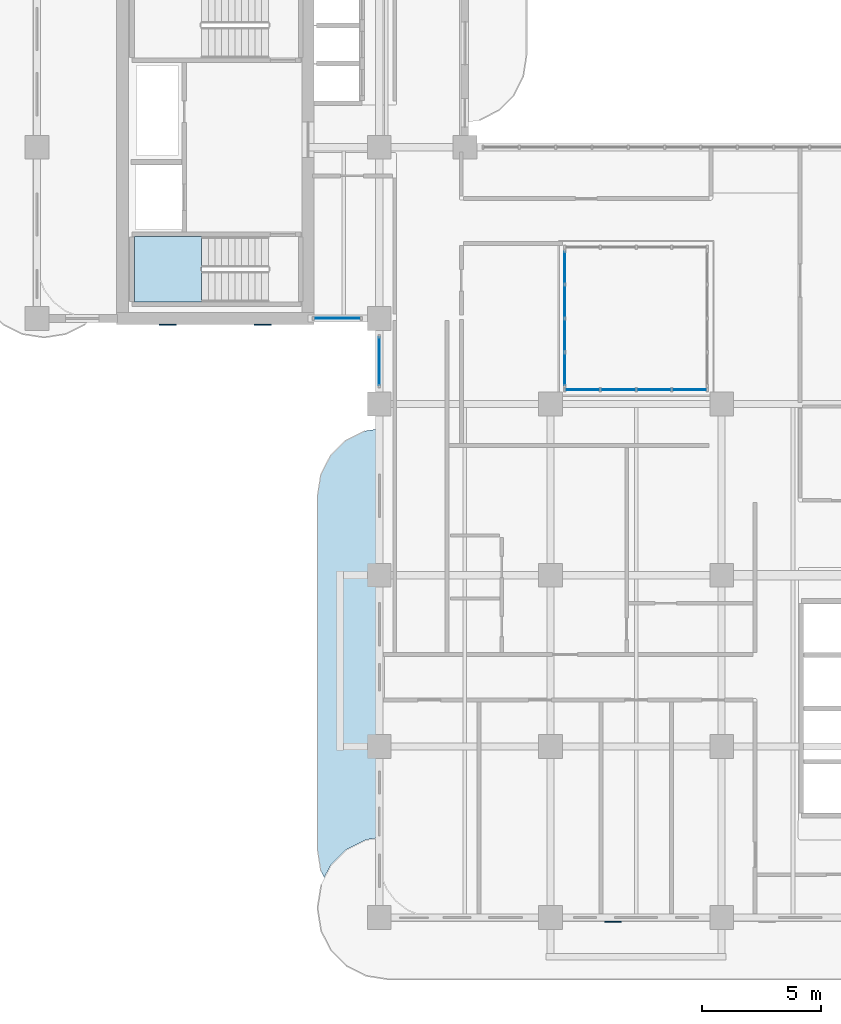
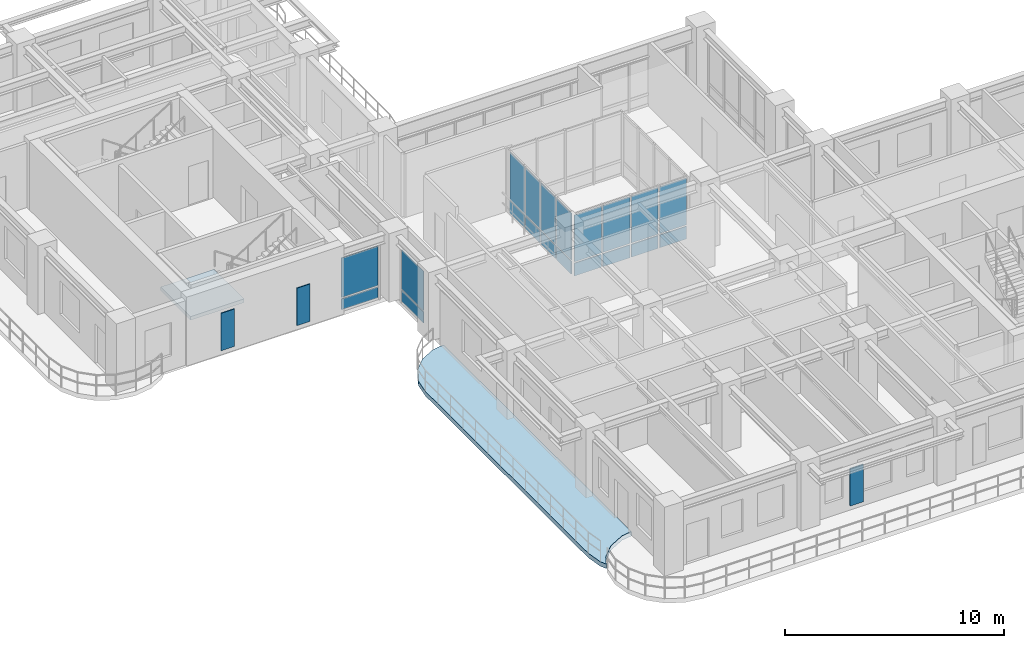
# One storey, part 7 of 20: 23 plates, 2 slabs, 5 elements without a shape of their own.
"""IFC4 building model written with IfcOpenShell, lengths in metres."""

from ifc_helpers import new_model, si_unit, derived_unit, direction, frame, origin, origin_2d, place, context, subcontext, project, spatial, polyline, rectangle, outline, extrude, source, transform, mapped, material, layer, layer_set, type_object, type_shapes, element, aggregate, save


model = new_model("IFC4")

# Units and contexts
model_context = context("Model", 3, precision=1e-05, world=origin(), true_north=direction((0.0, 1.0)))
body_context = subcontext(model_context, "Body", "Model", "MODEL_VIEW")
ifc_project = project(units=[si_unit("LENGTHUNIT", "METRE"), si_unit("AREAUNIT", "SQUARE_METRE"), si_unit("VOLUMEUNIT", "CUBIC_METRE"), si_unit("PLANEANGLEUNIT", "RADIAN"), si_unit("MASSUNIT", "GRAM", prefix="KILO"), si_unit("THERMODYNAMICTEMPERATUREUNIT", "KELVIN"), si_unit("POWERUNIT", "WATT"), derived_unit("THERMALTRANSMITTANCEUNIT", [(si_unit("POWERUNIT", "WATT"), 1), (si_unit("AREAUNIT", "SQUARE_METRE"), -1), (si_unit("THERMODYNAMICTEMPERATUREUNIT", "KELVIN"), -1)])], contexts=[model_context])

# Site, building, storey
site_placement = place(None, origin())
site = spatial("IfcSite", under=ifc_project, at=site_placement, CompositionType="ELEMENT")
building_placement = place(site_placement, origin())
building = spatial("IfcBuilding", under=site, at=building_placement, Name="Zahravan Archway Hotel and Residences", CompositionType="ELEMENT")
storey_placement = place(building_placement, frame((0.0, 0.0, 161.85009765625)))
storey = spatial("IfcBuildingStorey", under=building, at=storey_placement, Name="L40", CompositionType="ELEMENT", Elevation=161.85009765625)

# Slab
ifc_material_1 = material(Name="Concrete C45/55", Category="concrete")
ifc_layer_1 = layer(ifc_material_1, 0.25, Name="Concrete C45/55", Category="concrete")
ifc_layer_set_1 = layer_set([ifc_layer_1], Name="Concrete C45/55")
slab_type_1 = type_object("IfcSlabType", Name="SLB-BALC-250", PredefinedType="FLOOR", material=ifc_layer_set_1)
slab_1_placement = place(storey_placement, frame((0.0, 0.0, -0.25)))
element("IfcSlab", 1, at=slab_1_placement, inside=storey, type_object=slab_type_1, Name="L40 Wing A West Rounded Balcony Band", PredefinedType="FLOOR", context=body_context, shape_type="SweptSolid", body=[
    extrude(outline(polyline([(11.939453125, 1.96923828125), (11.800048828125, 2.85009765625), (11.800048828125, 17.75), (11.939453125, 18.630615234375), (12.34423828125, 19.42529296875), (12.974853515625, 20.0556640625), (13.769287109375, 20.46044921875), (14.3798828125, 20.55712890625), (14.3798828125, 3.361328125), (14.37890625, 3.361328125), (14.376953125, 3.361083984375), (13.835205078125, 3.275390625), (13.833251953125, 3.27490234375), (13.831298828125, 3.2744140625), (13.829345703125, 3.2734375), (13.0068359375, 2.8544921875), (13.005126953125, 2.853515625), (13.00341796875, 2.85205078125), (13.001953125, 2.8505859375), (12.349365234375, 2.197998046875), (12.347900390625, 2.196533203125), (12.3466796875, 2.19482421875), (12.345703125, 2.193115234375), (12.08544921875, 1.6826171875), (11.939453125, 1.96923828125)])), origin(), (0.0, 0.0, 1.0), 0.25),
])

# Stair, slab
ifc_material_2 = material(Name="Concrete C50/60", Category="concrete")
stair_type = type_object("IfcStairType", Name="STR-CORE-1300", PredefinedType="HALF_TURN_STAIR", material=ifc_material_2)
stair_placement = place(storey_placement, origin())
stair = element("IfcStair", 2, at=stair_placement, inside=storey, type_object=stair_type, Name="L40 Core B Exit Stair 1", PredefinedType="HALF_TURN_STAIR")
ifc_layer_2 = layer(ifc_material_2, 0.199951171875, Name="Concrete C50/60", Category="concrete")
ifc_layer_set_2 = layer_set([ifc_layer_2], Name="Concrete C50/60")
slab_type_2 = type_object("IfcSlabType", Name="SLB-LND-200", PredefinedType="LANDING", material=ifc_layer_set_2)
slab_2_placement = place(storey_placement, frame((0.0, 0.0, 1.724853515625)))
slab_2 = element("IfcSlab", 3, at=slab_2_placement, type_object=slab_type_2, Name="ST-B1 landing 1", PredefinedType="LANDING", context=body_context, shape_type="SweptSolid", body=[
    extrude(outline(polyline([(6.929931640625, 28.639892578125), (4.10009765625, 28.639892578125), (4.10009765625, 25.89990234375), (6.929931640625, 25.89990234375), (6.929931640625, 28.639892578125)])), origin(), (0.0, 0.0, 1.0), 0.199951171875),
])
aggregate(stair, [slab_2])

# Plates
ifc_material_3 = material(Name="Perforated Cast Bronze Jali Lattice")
ifc_layer_3 = layer(ifc_material_3, 0.044921875, Name="Perforated Cast Bronze Jali Lattice")
ifc_layer_set_3 = layer_set([ifc_layer_3], Name="Perforated Cast Bronze Jali Lattice")
plate_type_1 = type_object("IfcPlateType", Name="PLT-JALI-BAY", PredefinedType="USERDEFINED", material=ifc_layer_set_3)
shared_shape_1 = source(origin(), body_context, "Body", "SweptSolid", [
    extrude(rectangle(XDim=0.699951171875, YDim=0.044921875, at=origin_2d()), origin(), (0.0, 0.0, 1.0), 2.10009765625),
])
type_shapes(plate_type_1, [shared_shape_1])
for number, where, z_axis, x_axis, name in (
    (4, (5.5, 24.931884765625, 0.249755859375), (0.0, 0.0, 1.0), (1.0, 0.0, 0.0), "L40 Core B South Mughal Jali Screen 1"),
    (5, (9.5, 24.931884765625, 0.249755859375), (0.0, 0.0, 1.0), (1.0, 0.0, 0.0), "L40 Core B South Mughal Jali Screen 2"),
    (6, (24.22802734375, -0.177978515625, 0.249755859375), (0.0, 0.0, 1.0), (1.0, 0.0, 0.0), "L40 Perforated Bronze Jali Pier Screen 01"),
):
    element("IfcPlate", number, at=place(storey_placement, frame(where, z_axis=z_axis, x_axis=x_axis)), inside=storey, type_object=plate_type_1, Name=name, ObjectType="SCREEN", PredefinedType="USERDEFINED", context=body_context, shape_type="MappedRepresentation", body=[
        mapped(shared_shape_1, transform((0.0, 0.0, 0.0), scale=1.0)),
    ])

# Curtain wall, plates
ifc_material_4 = material(Name="Bronze-Anodized Unitised Aluminium & Low-E Glass", Category="aluminium")
ifc_layer_4 = layer(ifc_material_4, 0.179931640625, Name="Bronze-Anodized Unitised Aluminium & Low-E Glass", Category="aluminium")
ifc_layer_set_4 = layer_set([ifc_layer_4], Name="Bronze-Anodized Unitised Aluminium & Low-E Glass")
curtain_wall_type_1 = type_object("IfcCurtainWallType", Name="CW-ATR-GLAZ", PredefinedType="NOTDEFINED", material=ifc_layer_set_4)
curtain_wall_1_placement = place(storey_placement, origin())
curtain_wall_1 = element("IfcCurtainWall", 7, at=curtain_wall_1_placement, inside=storey, type_object=curtain_wall_type_1, Name="L40 Curtain Wall CW-ATR-L40-S-1", PredefinedType="NOTDEFINED")
ifc_material_5 = material(Name="Insulated Terracotta Spandrel Panel", Category="masonry")
ifc_layer_5 = layer(ifc_material_5, 0.0400390625, Name="Insulated Terracotta Spandrel Panel", Category="masonry")
ifc_layer_set_5 = layer_set([ifc_layer_5], Name="Insulated Terracotta Spandrel Panel")
plate_type_2 = type_object("IfcPlateType", Name="CWP-SPN-40", PredefinedType="SHEET", material=ifc_layer_set_5)
shared_shape_2 = source(origin(), body_context, "Body", "SweptSolid", [
    extrude(rectangle(XDim=1.419921875, YDim=0.0400390625, at=origin_2d()), origin(), (0.0, 0.0, 1.0), 0.7099609375),
])
plate_1_placement = place(storey_placement, frame((22.949951171875, 22.199951171875, 0.099853515625), z_axis=(0.0, 0.0, 1.0), x_axis=(1.0, 0.0, 0.0)))
plate_1 = element("IfcPlate", 8, at=plate_1_placement, type_object=plate_type_2, Name="CW-ATR-L40-S-1 Spandrel Panel 0", PredefinedType="SHEET", context=body_context, shape_type="MappedRepresentation", body=[
    mapped(shared_shape_2, transform((0.0, 0.0, 0.0), scale=1.0)),
])
plate_2_placement = place(storey_placement, frame((24.449951171875, 22.199951171875, 0.099853515625), z_axis=(0.0, 0.0, 1.0), x_axis=(1.0, 0.0, 0.0)))
plate_2 = element("IfcPlate", 9, at=plate_2_placement, type_object=plate_type_2, Name="CW-ATR-L40-S-1 Spandrel Panel 1", PredefinedType="SHEET", context=body_context, shape_type="MappedRepresentation", body=[
    mapped(shared_shape_2, transform((0.0, 0.0, 0.0), scale=1.0)),
])
plate_3_placement = place(storey_placement, frame((25.949951171875, 22.199951171875, 0.099853515625), z_axis=(0.0, 0.0, 1.0), x_axis=(1.0, 0.0, 0.0)))
plate_3 = element("IfcPlate", 10, at=plate_3_placement, type_object=plate_type_2, Name="CW-ATR-L40-S-1 Spandrel Panel 2", PredefinedType="SHEET", context=body_context, shape_type="MappedRepresentation", body=[
    mapped(shared_shape_2, transform((0.0, 0.0, 0.0), scale=1.0)),
])
plate_4_placement = place(storey_placement, frame((27.449951171875, 22.199951171875, 0.099853515625), z_axis=(0.0, 0.0, 1.0), x_axis=(1.0, 0.0, 0.0)))
plate_4 = element("IfcPlate", 11, at=plate_4_placement, type_object=plate_type_2, Name="CW-ATR-L40-S-1 Spandrel Panel 3", PredefinedType="SHEET", context=body_context, shape_type="MappedRepresentation", body=[
    mapped(shared_shape_2, transform((0.0, 0.0, 0.0), scale=1.0)),
])

curtain_wall_2_placement = place(storey_placement, origin())
curtain_wall_2 = element("IfcCurtainWall", 12, at=curtain_wall_2_placement, inside=storey, type_object=curtain_wall_type_1, Name="L40 Curtain Wall CW-ATR-L40-W-1", PredefinedType="NOTDEFINED")
shared_shape_3 = source(origin(), body_context, "Body", "SweptSolid", [
    extrude(rectangle(XDim=1.344970703125, YDim=0.0400390625, at=origin_2d()), origin(), (0.0, 0.0, 1.0), 0.7099609375),
])
plate_5_placement = place(storey_placement, frame((22.199951171875, 23.0625, 0.099853515625), z_axis=(0.0, 0.0, 1.0), x_axis=(0.0, 1.0, 0.0)))
plate_5 = element("IfcPlate", 13, at=plate_5_placement, type_object=plate_type_2, Name="CW-ATR-L40-W-1 Spandrel Panel 0", PredefinedType="SHEET", context=body_context, shape_type="MappedRepresentation", body=[
    mapped(shared_shape_3, transform((0.0, 0.0, 0.0), scale=1.0)),
])
plate_6_placement = place(storey_placement, frame((22.199951171875, 24.487548828125, 0.099853515625), z_axis=(0.0, 0.0, 1.0), x_axis=(0.0, 1.0, 0.0)))
plate_6 = element("IfcPlate", 14, at=plate_6_placement, type_object=plate_type_2, Name="CW-ATR-L40-W-1 Spandrel Panel 1", PredefinedType="SHEET", context=body_context, shape_type="MappedRepresentation", body=[
    mapped(shared_shape_3, transform((0.0, 0.0, 0.0), scale=1.0)),
])
plate_7_placement = place(storey_placement, frame((22.199951171875, 25.91259765625, 0.099853515625), z_axis=(0.0, 0.0, 1.0), x_axis=(0.0, 1.0, 0.0)))
plate_7 = element("IfcPlate", 15, at=plate_7_placement, type_object=plate_type_2, Name="CW-ATR-L40-W-1 Spandrel Panel 2", PredefinedType="SHEET", context=body_context, shape_type="MappedRepresentation", body=[
    mapped(shared_shape_3, transform((0.0, 0.0, 0.0), scale=1.0)),
])
plate_8_placement = place(storey_placement, frame((22.199951171875, 27.33740234375, 0.099853515625), z_axis=(0.0, 0.0, 1.0), x_axis=(0.0, 1.0, 0.0)))
plate_8 = element("IfcPlate", 16, at=plate_8_placement, type_object=plate_type_2, Name="CW-ATR-L40-W-1 Spandrel Panel 3", PredefinedType="SHEET", context=body_context, shape_type="MappedRepresentation", body=[
    mapped(shared_shape_3, transform((0.0, 0.0, 0.0), scale=1.0)),
])

ifc_layer_6 = layer(ifc_material_4, 0.179931640625, Name="Bronze-Anodized Unitised Aluminium & Low-E Glass", Category="aluminium")
ifc_layer_set_6 = layer_set([ifc_layer_6], Name="Bronze-Anodized Unitised Aluminium & Low-E Glass")
curtain_wall_type_2 = type_object("IfcCurtainWallType", Name="CW-TWR-FEAT", PredefinedType="NOTDEFINED", material=ifc_layer_set_6)
curtain_wall_3_placement = place(storey_placement, origin())
curtain_wall_3 = element("IfcCurtainWall", 17, at=curtain_wall_3_placement, inside=storey, type_object=curtain_wall_type_2, Name="L40 Curtain Wall CW-L40-WA-WLU-1", PredefinedType="NOTDEFINED")
shared_shape_4 = source(origin(), body_context, "Body", "SweptSolid", [
    extrude(rectangle(XDim=2.0, YDim=0.0400390625, at=origin_2d()), origin(), (0.0, 0.0, 1.0), 0.600341796875),
])
plate_9_placement = place(storey_placement, frame((14.39990234375, 23.39990234375, 0.10009765625), z_axis=(0.0, 0.0, 1.0), x_axis=(0.0, 1.0, 0.0)))
plate_9 = element("IfcPlate", 18, at=plate_9_placement, type_object=plate_type_2, Name="CW-L40-WA-WLU-1 Spandrel Panel 0", PredefinedType="SHEET", context=body_context, shape_type="MappedRepresentation", body=[
    mapped(shared_shape_4, transform((0.0, 0.0, 0.0), scale=1.0)),
])
ifc_material_6 = material(Name="Double-Silver Low-E Insulated Vision Glass", Category="glass")
ifc_layer_7 = layer(ifc_material_6, 0.028076171875, Name="Double-Silver Low-E Insulated Vision Glass", Category="glass")
ifc_layer_set_7 = layer_set([ifc_layer_7], Name="Double-Silver Low-E Insulated Vision Glass")
plate_type_3 = type_object("IfcPlateType", Name="CWP-GLZ-28", PredefinedType="CURTAIN_PANEL", material=ifc_layer_set_7)
shared_shape_5 = source(origin(), body_context, "Body", "SweptSolid", [
    extrude(rectangle(XDim=2.0, YDim=0.028076171875, at=origin_2d()), origin(), (0.0, 0.0, 1.0), 2.20458984375),
])
plate_10_placement = place(storey_placement, frame((14.39990234375, 23.39990234375, 0.7802734375), z_axis=(0.0, 0.0, 1.0), x_axis=(0.0, 1.0, 0.0)))
plate_10 = element("IfcPlate", 19, at=plate_10_placement, type_object=plate_type_3, Name="CW-L40-WA-WLU-1 Low-E Vision Panel 0", PredefinedType="CURTAIN_PANEL", context=body_context, shape_type="MappedRepresentation", body=[
    mapped(shared_shape_5, transform((0.0, 0.0, 0.0), scale=1.0)),
])
aggregate(curtain_wall_3, [plate_9, plate_10])

curtain_wall_4_placement = place(storey_placement, origin())
curtain_wall_4 = element("IfcCurtainWall", 20, at=curtain_wall_4_placement, inside=storey, type_object=curtain_wall_type_2, Name="L40 Curtain Wall CW-L40-WB-SE-1", PredefinedType="NOTDEFINED")
shared_shape_6 = source(origin(), body_context, "Body", "SweptSolid", [
    extrude(rectangle(XDim=1.93994140625, YDim=0.0400390625, at=origin_2d()), origin(), (0.0, 0.0, 1.0), 0.600341796875),
])
plate_11_placement = place(storey_placement, frame((12.6298828125, 25.199951171875, 0.10009765625), z_axis=(0.0, 0.0, 1.0), x_axis=(1.0, 0.0, 0.0)))
plate_11 = element("IfcPlate", 21, at=plate_11_placement, type_object=plate_type_2, Name="CW-L40-WB-SE-1 Spandrel Panel 0", PredefinedType="SHEET", context=body_context, shape_type="MappedRepresentation", body=[
    mapped(shared_shape_6, transform((0.0, 0.0, 0.0), scale=1.0)),
])
shared_shape_7 = source(origin(), body_context, "Body", "SweptSolid", [
    extrude(rectangle(XDim=1.93994140625, YDim=0.028076171875, at=origin_2d()), origin(), (0.0, 0.0, 1.0), 2.20458984375),
])
plate_12_placement = place(storey_placement, frame((12.6298828125, 25.199951171875, 0.7802734375), z_axis=(0.0, 0.0, 1.0), x_axis=(1.0, 0.0, 0.0)))
plate_12 = element("IfcPlate", 22, at=plate_12_placement, type_object=plate_type_3, Name="CW-L40-WB-SE-1 Low-E Vision Panel 0", PredefinedType="CURTAIN_PANEL", context=body_context, shape_type="MappedRepresentation", body=[
    mapped(shared_shape_7, transform((0.0, 0.0, 0.0), scale=1.0)),
])
aggregate(curtain_wall_4, [plate_11, plate_12])

# Plate
shared_shape_8 = source(origin(), body_context, "Body", "SweptSolid", [
    extrude(rectangle(XDim=1.419921875, YDim=0.028076171875, at=origin_2d()), origin(), (0.0, 0.0, 1.0), 2.610107421875),
])
plate_13_placement = place(storey_placement, frame((22.949951171875, 22.199951171875, 0.8896484375), z_axis=(0.0, 0.0, 1.0), x_axis=(1.0, 0.0, 0.0)))
plate_13 = element("IfcPlate", 23, at=plate_13_placement, type_object=plate_type_3, Name="CW-ATR-L40-S-1 Low-E Vision Panel 0", PredefinedType="CURTAIN_PANEL", context=body_context, shape_type="MappedRepresentation", body=[
    mapped(shared_shape_8, transform((0.0, 0.0, 0.0), scale=1.0)),
])

plate_14_placement = place(storey_placement, frame((24.449951171875, 22.199951171875, 0.8896484375), z_axis=(0.0, 0.0, 1.0), x_axis=(1.0, 0.0, 0.0)))
plate_14 = element("IfcPlate", 24, at=plate_14_placement, type_object=plate_type_3, Name="CW-ATR-L40-S-1 Low-E Vision Panel 1", PredefinedType="CURTAIN_PANEL", context=body_context, shape_type="MappedRepresentation", body=[
    mapped(shared_shape_8, transform((0.0, 0.0, 0.0), scale=1.0)),
])

plate_15_placement = place(storey_placement, frame((25.949951171875, 22.199951171875, 0.8896484375), z_axis=(0.0, 0.0, 1.0), x_axis=(1.0, 0.0, 0.0)))
plate_15 = element("IfcPlate", 25, at=plate_15_placement, type_object=plate_type_3, Name="CW-ATR-L40-S-1 Low-E Vision Panel 2", PredefinedType="CURTAIN_PANEL", context=body_context, shape_type="MappedRepresentation", body=[
    mapped(shared_shape_8, transform((0.0, 0.0, 0.0), scale=1.0)),
])

plate_16_placement = place(storey_placement, frame((27.449951171875, 22.199951171875, 0.8896484375), z_axis=(0.0, 0.0, 1.0), x_axis=(1.0, 0.0, 0.0)))
plate_16 = element("IfcPlate", 26, at=plate_16_placement, type_object=plate_type_3, Name="CW-ATR-L40-S-1 Low-E Vision Panel 3", PredefinedType="CURTAIN_PANEL", context=body_context, shape_type="MappedRepresentation", body=[
    mapped(shared_shape_8, transform((0.0, 0.0, 0.0), scale=1.0)),
])

aggregate(curtain_wall_1, [plate_1, plate_13, plate_2, plate_14, plate_3, plate_15, plate_4, plate_16])

shared_shape_9 = source(origin(), body_context, "Body", "SweptSolid", [
    extrude(rectangle(XDim=1.344970703125, YDim=0.028076171875, at=origin_2d()), origin(), (0.0, 0.0, 1.0), 2.610107421875),
])
plate_17_placement = place(storey_placement, frame((22.199951171875, 23.0625, 0.8896484375), z_axis=(0.0, 0.0, 1.0), x_axis=(0.0, 1.0, 0.0)))
plate_17 = element("IfcPlate", 27, at=plate_17_placement, type_object=plate_type_3, Name="CW-ATR-L40-W-1 Low-E Vision Panel 0", PredefinedType="CURTAIN_PANEL", context=body_context, shape_type="MappedRepresentation", body=[
    mapped(shared_shape_9, transform((0.0, 0.0, 0.0), scale=1.0)),
])

plate_18_placement = place(storey_placement, frame((22.199951171875, 24.487548828125, 0.8896484375), z_axis=(0.0, 0.0, 1.0), x_axis=(0.0, 1.0, 0.0)))
plate_18 = element("IfcPlate", 28, at=plate_18_placement, type_object=plate_type_3, Name="CW-ATR-L40-W-1 Low-E Vision Panel 1", PredefinedType="CURTAIN_PANEL", context=body_context, shape_type="MappedRepresentation", body=[
    mapped(shared_shape_9, transform((0.0, 0.0, 0.0), scale=1.0)),
])

plate_19_placement = place(storey_placement, frame((22.199951171875, 25.91259765625, 0.8896484375), z_axis=(0.0, 0.0, 1.0), x_axis=(0.0, 1.0, 0.0)))
plate_19 = element("IfcPlate", 29, at=plate_19_placement, type_object=plate_type_3, Name="CW-ATR-L40-W-1 Low-E Vision Panel 2", PredefinedType="CURTAIN_PANEL", context=body_context, shape_type="MappedRepresentation", body=[
    mapped(shared_shape_9, transform((0.0, 0.0, 0.0), scale=1.0)),
])

plate_20_placement = place(storey_placement, frame((22.199951171875, 27.33740234375, 0.8896484375), z_axis=(0.0, 0.0, 1.0), x_axis=(0.0, 1.0, 0.0)))
plate_20 = element("IfcPlate", 30, at=plate_20_placement, type_object=plate_type_3, Name="CW-ATR-L40-W-1 Low-E Vision Panel 3", PredefinedType="CURTAIN_PANEL", context=body_context, shape_type="MappedRepresentation", body=[
    mapped(shared_shape_9, transform((0.0, 0.0, 0.0), scale=1.0)),
])

aggregate(curtain_wall_2, [plate_5, plate_17, plate_6, plate_18, plate_7, plate_19, plate_8, plate_20])

save(model, "model.ifc")
